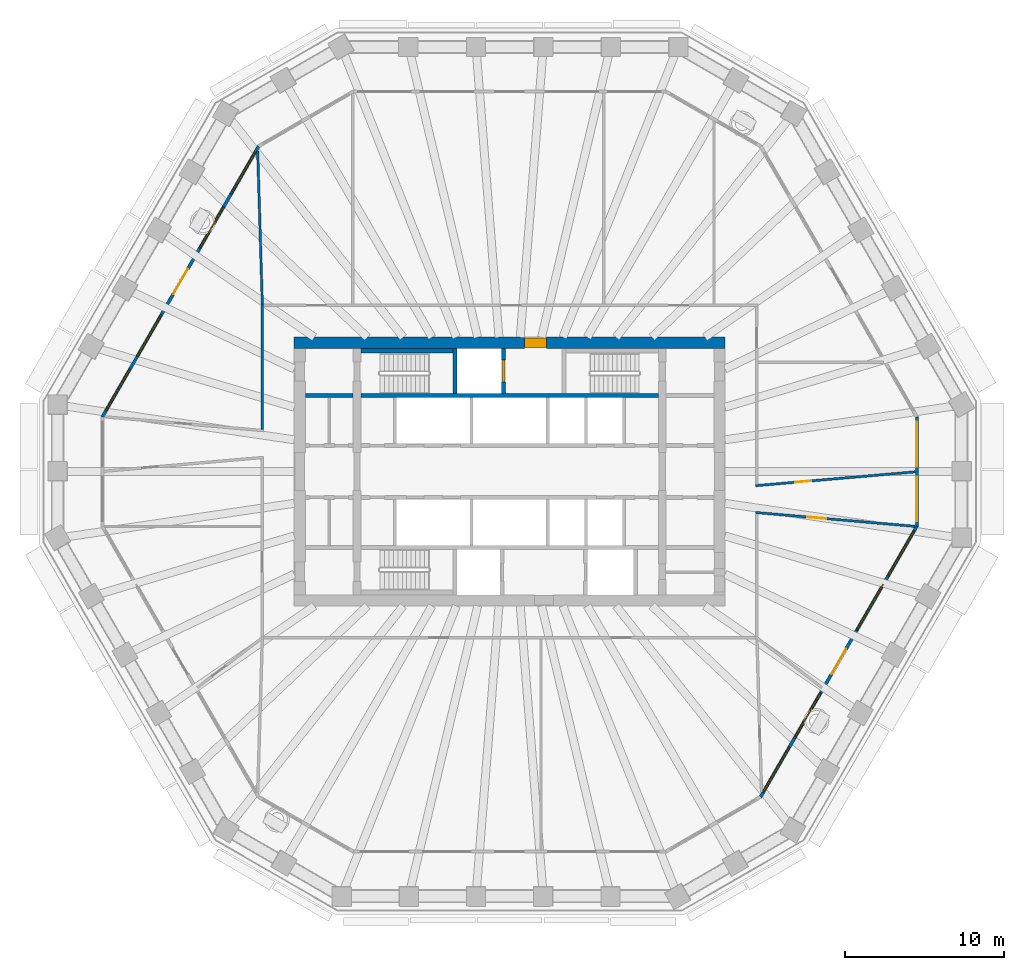
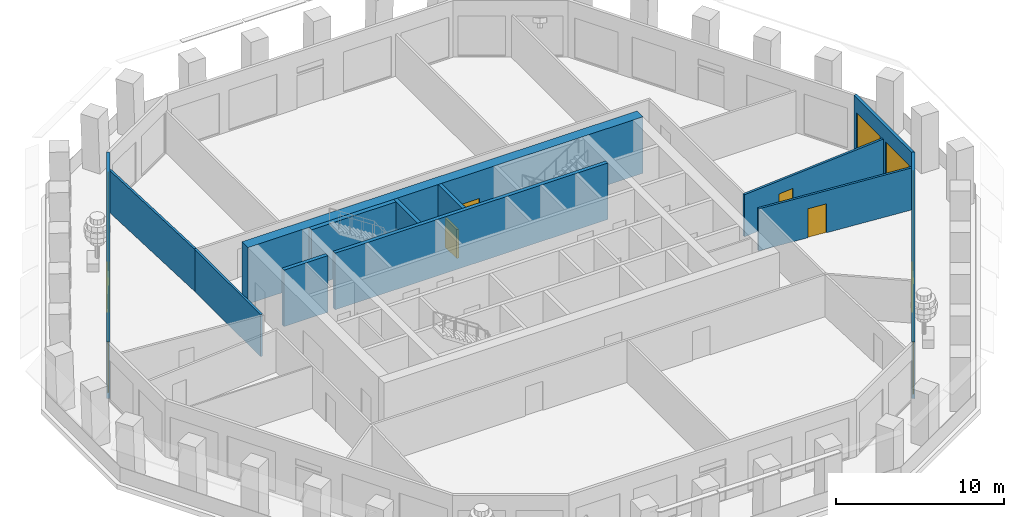
# One storey, part 6 of 12: 13 walls, 12 windows, 6 doors, 18 openings.
"""IFC4 building model written with IfcOpenShell, lengths in metres."""

from ifc_helpers import new_model, si_unit, direction, frame, frame_2d, origin, place, context, subcontext, project, spatial, polyline, rectangle, outline, extrude, material, layer, layer_set, type_object, element, fill, save


model = new_model("IFC4")

# Units and contexts
model_context = context("Model", 3, precision=1e-05, world=origin(), true_north=direction((0.0, 1.0)))
body_context = subcontext(model_context, "Body", "Model", "MODEL_VIEW")
ifc_project = project(units=[si_unit("LENGTHUNIT", "METRE"), si_unit("AREAUNIT", "SQUARE_METRE"), si_unit("VOLUMEUNIT", "CUBIC_METRE"), si_unit("PLANEANGLEUNIT", "RADIAN"), si_unit("MASSUNIT", "GRAM", prefix="KILO")], contexts=[model_context])

# Site, building, storey
site_placement = place(None, origin())
site = spatial("IfcSite", under=ifc_project, at=site_placement, CompositionType="ELEMENT")
building_placement = place(site_placement, origin())
building = spatial("IfcBuilding", under=site, at=building_placement, Name="Frailejon Research Tower", CompositionType="ELEMENT")
storey_placement = place(building_placement, frame((0.0, 0.0, 145.199951171875)))
storey = spatial("IfcBuildingStorey", under=building, at=storey_placement, Name="L31", CompositionType="ELEMENT", Elevation=145.199951171875)

# Wall, opening, door
ifc_material_1 = material(Name="Concrete C60/75", Category="concrete")
ifc_layer_1 = layer(ifc_material_1, 0.699951171875)
ifc_layer_set_1 = layer_set([ifc_layer_1], Name="Core shear wall 700 C60/75")
wall_type_1 = type_object("IfcWallType", Name="Core shear wall 700 C60/75", PredefinedType="SHEAR", material=ifc_layer_set_1)
wall_1_placement = place(storey_placement, frame((-13.550048828125, 8.10009765625, 0.0), z_axis=(0.0, 0.0, 1.0), x_axis=(1.0, 0.0, 0.0)))
wall_1 = element("IfcWall", 1, at=wall_1_placement, inside=storey, type_object=wall_type_1, Name="Core shear wall", PredefinedType="SHEAR", context=body_context, shape_type="SweptSolid", body=[
    extrude(rectangle(XDim=27.10009765625, YDim=0.699951171875, at=frame_2d((13.550048828125, 0.0))), origin(), (0.0, 0.0, 1.0), 4.10009765625),
])
opening_1_placement = place(wall_1_placement, frame((14.47509765625, 0.0, 0.0)))
opening_1 = element("IfcOpeningElement", 2, at=opening_1_placement, cuts=wall_1, Name="Opening D9", PredefinedType="OPENING", context=body_context, shape_type="SweptSolid", body=[
    extrude(rectangle(XDim=1.39990234375, YDim=2.10009765625, at=frame_2d((0.699951171875, 1.050048828125))), frame((0.0, 0.35986328125, 0.0), z_axis=(0.0, -1.0, 0.0), x_axis=(1.0, 0.0, 0.0)), (0.0, 0.0, 1.0), 0.719970703125),
])
ifc_material_2 = material(Name="Steel", Category="steel")
door_type_1 = type_object("IfcDoorType", Name="Goods lobby door", OperationType="DOUBLE_DOOR_SINGLE_SWING", PredefinedType="DOOR", material=ifc_material_2)
door_1_placement = place(opening_1_placement, origin())
door_1 = element("IfcDoor", 3, at=door_1_placement, inside=storey, type_object=door_type_1, Name="Goods lobby door", OperationType="DOUBLE_DOOR_SINGLE_SWING", OverallHeight=2.10009765625, OverallWidth=1.39990234375, PredefinedType="DOOR", context=body_context, shape_type="SweptSolid", body=[
    extrude(rectangle(XDim=1.39990234375, YDim=2.10009765625, at=frame_2d((0.699951171875, 1.050048828125))), frame((0.0, 0.300048828125, 0.0), z_axis=(0.0, -1.0, 0.0), x_axis=(1.0, 0.0, 0.0)), (0.0, 0.0, 1.0), 0.60009765625),
])
fill(opening_1, door_1)

# Wall
ifc_material_3 = material(Name="Gypsum board and masonry partition", Category="masonry")
ifc_layer_2 = layer(ifc_material_3, 0.14990234375)
ifc_layer_set_2 = layer_set([ifc_layer_2], Name="Corridor wall EI 60, gypsum on steel studs 150")
wall_type_2 = type_object("IfcWallType", Name="Corridor wall EI 60, gypsum on steel studs 150", PredefinedType="PARTITIONING", material=ifc_layer_set_2)
wall_2_placement = place(storey_placement, frame((-15.550048828125, 2.656982421875, 0.0), z_axis=(0.0, 0.0, 1.0), x_axis=(0.0, 1.0, 0.0)))
element("IfcWall", 4, at=wall_2_placement, inside=storey, type_object=wall_type_2, Name="T:IW:L31:005", PredefinedType="PARTITIONING", context=body_context, shape_type="SweptSolid", body=[
    extrude(rectangle(XDim=7.867919921875, YDim=0.14990234375, at=frame_2d((3.93408203125, 0.0))), origin(), (0.0, 0.0, 1.0), 3.050048828125),
])

# Wall, opening, door
wall_3_placement = place(storey_placement, frame((15.475341796875, -0.888427734375, 0.0), z_axis=(0.0, 0.0, 1.0), x_axis=(0.996255304015, 0.086460217564, 0.0)))
wall_3 = element("IfcWall", 5, at=wall_3_placement, inside=storey, type_object=wall_type_2, Name="T:IW:L31:009", PredefinedType="PARTITIONING", context=body_context, shape_type="SweptSolid", body=[
    extrude(rectangle(XDim=10.0751953125, YDim=0.14990234375, at=frame_2d((5.03759765625, 0.0))), origin(), (0.0, 0.0, 1.0), 3.050048828125),
])
opening_2_placement = place(wall_3_placement, frame((2.5, 0.0, 0.0)))
opening_2 = element("IfcOpeningElement", 6, at=opening_2_placement, cuts=wall_3, Name="Opening D1695", PredefinedType="OPENING", context=body_context, shape_type="SweptSolid", body=[
    extrude(rectangle(XDim=1.0, YDim=2.10009765625, at=frame_2d((0.5, 1.050048828125))), frame((0.0, 0.0849609375, 0.0), z_axis=(0.0, -1.0, 0.0), x_axis=(1.0, 0.0, 0.0)), (0.0, 0.0, 1.0), 0.169921875),
])
ifc_material_4 = material(Name="Timber door leaf", Category="wood")
door_type_2 = type_object("IfcDoorType", Name="Door single leaf, timber, steel frame 1000", OperationType="NOTDEFINED", PredefinedType="DOOR", material=ifc_material_4)
door_2_placement = place(opening_2_placement, origin())
door_2 = element("IfcDoor", 7, at=door_2_placement, inside=storey, type_object=door_type_2, Name="D1695", OperationType="SINGLE_SWING_LEFT", OverallHeight=2.10009765625, OverallWidth=1.0, PredefinedType="DOOR", context=body_context, shape_type="SweptSolid", body=[
    extrude(rectangle(XDim=1.0, YDim=2.10009765625, at=frame_2d((0.5, 1.050048828125))), frame((0.0, 0.02490234375, 0.0), z_axis=(0.0, -1.0, 0.0), x_axis=(1.0, 0.0, 0.0)), (0.0, 0.0, 1.0), 0.050048828125),
])
fill(opening_2, door_2)

wall_4_placement = place(storey_placement, frame((15.475341796875, -2.57568359375, 0.0), z_axis=(0.0, 0.0, 1.0), x_axis=(0.996255242107, -0.086460930911, 0.0)))
wall_4 = element("IfcWall", 8, at=wall_4_placement, inside=storey, type_object=wall_type_2, Name="T:IW:L31:010", PredefinedType="PARTITIONING", context=body_context, shape_type="SweptSolid", body=[
    extrude(rectangle(XDim=10.05517578125, YDim=0.14990234375, at=frame_2d((5.027587890625, 0.0))), origin(), (0.0, 0.0, 1.0), 3.050048828125),
])
opening_3_placement = place(wall_4_placement, frame((3.253173828125, 0.0, 0.0)))
opening_3 = element("IfcOpeningElement", 9, at=opening_3_placement, cuts=wall_4, Name="Opening D1707", PredefinedType="OPENING", context=body_context, shape_type="SweptSolid", body=[
    extrude(rectangle(XDim=1.199951171875, YDim=2.10009765625, at=frame_2d((0.60009765625, 1.050048828125))), frame((0.0, 0.0849609375, 0.0), z_axis=(0.0, -1.0, 0.0), x_axis=(1.0, 0.0, 0.0)), (0.0, 0.0, 1.0), 0.169921875),
])
ifc_material_5 = material(Name="Timber door leaf", Category="wood")
door_type_3 = type_object("IfcDoorType", Name="Door single leaf, timber, steel frame 1200", OperationType="NOTDEFINED", PredefinedType="DOOR", material=ifc_material_5)
door_3_placement = place(opening_3_placement, origin())
door_3 = element("IfcDoor", 10, at=door_3_placement, inside=storey, type_object=door_type_3, Name="D1707", OperationType="DOUBLE_DOOR_SINGLE_SWING", OverallHeight=2.10009765625, OverallWidth=1.199951171875, PredefinedType="DOOR", context=body_context, shape_type="SweptSolid", body=[
    extrude(rectangle(XDim=1.199951171875, YDim=2.10009765625, at=frame_2d((0.60009765625, 1.050048828125))), frame((0.0, 0.02490234375, 0.0), z_axis=(0.0, -1.0, 0.0), x_axis=(1.0, 0.0, 0.0)), (0.0, 0.0, 1.0), 0.050048828125),
])
fill(opening_3, door_3)

# Walls
ifc_material_6 = material(Name="Gypsum board and masonry partition", Category="masonry")
ifc_layer_3 = layer(ifc_material_6, 0.14990234375)
ifc_layer_set_3 = layer_set([ifc_layer_3], Name="Laboratory partition, blockwork 150")
wall_type_3 = type_object("IfcWallType", Name="Laboratory partition, blockwork 150", PredefinedType="PARTITIONING", material=ifc_layer_set_3)
wall_5_placement = place(storey_placement, frame((-15.844970703125, 20.156005859375, 0.0), z_axis=(0.0, 0.0, 1.0), x_axis=(0.030388076232, -0.999538175771, 0.0)))
element("IfcWall", 11, at=wall_5_placement, inside=storey, type_object=wall_type_3, Name="T:IW:L31:015", PredefinedType="PARTITIONING", context=body_context, shape_type="SweptSolid", body=[
    extrude(rectangle(XDim=9.78564453125, YDim=0.14990234375, at=frame_2d((4.892822265625, 0.0))), origin(), (0.0, 0.0, 1.0), 3.050048828125),
])
ifc_material_7 = material(Name="Concrete C60/75", Category="concrete")
ifc_layer_4 = layer(ifc_material_7, 0.25)
ifc_layer_set_4 = layer_set([ifc_layer_4], Name="Shaft wall 250 C60/75")
wall_type_4 = type_object("IfcWallType", Name="Shaft wall 250 C60/75", PredefinedType="SOLIDWALL", material=ifc_layer_set_4)
wall_6_placement = place(storey_placement, frame((-12.85009765625, 4.77490234375, 0.0), z_axis=(0.0, 0.0, 1.0), x_axis=(1.0, 0.0, 0.0)))
element("IfcWall", 12, at=wall_6_placement, inside=storey, type_object=wall_type_4, Name="Shaft wall", PredefinedType="SOLIDWALL", context=body_context, shape_type="SweptSolid", body=[
    extrude(rectangle(XDim=3.0, YDim=0.25, at=frame_2d((1.5, 0.0))), origin(), (0.0, 0.0, 1.0), 4.10009765625),
])
wall_7_placement = place(storey_placement, frame((-9.35009765625, 4.77490234375, 0.0), z_axis=(0.0, 0.0, 1.0), x_axis=(1.0, 0.0, 0.0)))
element("IfcWall", 13, at=wall_7_placement, inside=storey, type_object=wall_type_4, Name="Shaft wall", PredefinedType="SOLIDWALL", context=body_context, shape_type="SweptSolid", body=[
    extrude(rectangle(XDim=18.7001953125, YDim=0.25, at=frame_2d((9.35009765625, 0.0))), origin(), (0.0, 0.0, 1.0), 4.10009765625),
])
wall_8_placement = place(storey_placement, frame((-3.425048828125, 4.89990234375, 0.0), z_axis=(0.0, 0.0, 1.0), x_axis=(0.0, 1.0, 0.0)))
element("IfcWall", 14, at=wall_8_placement, inside=storey, type_object=wall_type_4, Name="Shaft wall", PredefinedType="SOLIDWALL", context=body_context, shape_type="SweptSolid", body=[
    extrude(rectangle(XDim=2.85009765625, YDim=0.25, at=frame_2d((1.425048828125, 0.0))), origin(), (0.0, 0.0, 1.0), 4.10009765625),
])

# Wall, opening, door
wall_9_placement = place(storey_placement, frame((-0.375, 4.89990234375, 0.0), z_axis=(0.0, 0.0, 1.0), x_axis=(0.0, 1.0, 0.0)))
wall_9 = element("IfcWall", 15, at=wall_9_placement, inside=storey, type_object=wall_type_4, Name="Shaft wall", PredefinedType="SOLIDWALL", context=body_context, shape_type="SweptSolid", body=[
    extrude(rectangle(XDim=2.85009765625, YDim=0.25, at=frame_2d((1.425048828125, 0.0))), origin(), (0.0, 0.0, 1.0), 4.10009765625),
])
opening_4_placement = place(wall_9_placement, frame((0.72509765625, 0.0, 0.0)))
opening_4 = element("IfcOpeningElement", 16, at=opening_4_placement, cuts=wall_9, Name="Opening LD2", PredefinedType="OPENING", context=body_context, shape_type="SweptSolid", body=[
    extrude(rectangle(XDim=1.39990234375, YDim=2.10009765625, at=frame_2d((0.699951171875, 1.050048828125))), frame((0.0, 0.135009765625, 0.0), z_axis=(0.0, -1.0, 0.0), x_axis=(1.0, 0.0, 0.0)), (0.0, 0.0, 1.0), 0.27001953125),
])
ifc_material_8 = material(Name="Stainless steel", Category="steel")
door_type_4 = type_object("IfcDoorType", Name="Goods landing door", OperationType="DOUBLE_DOOR_SLIDING", PredefinedType="DOOR", material=ifc_material_8)
door_4_placement = place(opening_4_placement, origin())
door_4 = element("IfcDoor", 17, at=door_4_placement, inside=storey, type_object=door_type_4, Name="Lift landing door", OperationType="DOUBLE_DOOR_SLIDING", OverallHeight=2.10009765625, OverallWidth=1.39990234375, PredefinedType="DOOR", context=body_context, shape_type="SweptSolid", body=[
    extrude(rectangle(XDim=1.39990234375, YDim=2.10009765625, at=frame_2d((0.699951171875, 1.050048828125))), frame((0.0, 0.074951171875, 0.0), z_axis=(0.0, -1.0, 0.0), x_axis=(1.0, 0.0, 0.0)), (0.0, 0.0, 1.0), 0.14990234375),
])
fill(opening_4, door_4)

# Wall
ifc_material_9 = material(Name="Concrete C60/75", Category="concrete")
ifc_layer_5 = layer(ifc_material_9, 0.300048828125)
ifc_layer_set_5 = layer_set([ifc_layer_5], Name="Shaft wall 300 C60/75")
wall_type_5 = type_object("IfcWallType", Name="Shaft wall 300 C60/75", PredefinedType="SOLIDWALL", material=ifc_layer_set_5)
wall_10_placement = place(storey_placement, frame((-9.35009765625, 7.60009765625, 0.0), z_axis=(0.0, 0.0, 1.0), x_axis=(1.0, 0.0, 0.0)))
element("IfcWall", 18, at=wall_10_placement, inside=storey, type_object=wall_type_5, Name="Shaft wall", PredefinedType="SOLIDWALL", context=body_context, shape_type="SweptSolid", body=[
    extrude(rectangle(XDim=5.800048828125, YDim=0.300048828125, at=frame_2d((2.89990234375, 0.0))), origin(), (0.0, 0.0, 1.0), 4.10009765625),
])

# Wall, openings, windows
ifc_material_10 = material(Name="Concrete C40/50 precast window wall panel", Category="concrete")
ifc_layer_6 = layer(ifc_material_10, 0.199951171875)
ifc_layer_set_6 = layer_set([ifc_layer_6], Name="Window wall 200")
wall_type_6 = type_object("IfcWallType", Name="Window wall 200", PredefinedType="SOLIDWALL", material=ifc_layer_set_6)
wall_11_placement = place(storey_placement, frame((25.61279296875, -3.437255859375, 0.0), z_axis=(0.0, 0.0, 1.0), x_axis=(0.0, 1.0, 0.0)))
wall_11 = element("IfcWall", 19, at=wall_11_placement, inside=storey, type_object=wall_type_6, Name="Exterior wall L31", PredefinedType="SOLIDWALL", context=body_context, shape_type="SweptSolid", body=[
    extrude(outline(polyline([(-0.02685546875, -0.10009765625), (1.1279296875, -0.10009765625), (2.282470703125, -0.10009765625), (3.437255859375, -0.10009765625), (4.592041015625, -0.10009765625), (5.74658203125, -0.10009765625), (6.9013671875, -0.10009765625), (6.84765625, 0.10009765625), (5.7109375, 0.10009765625), (4.573974609375, 0.10009765625), (3.437255859375, 0.10009765625), (2.300537109375, 0.10009765625), (1.16357421875, 0.10009765625), (0.02685546875, 0.10009765625), (-0.02685546875, -0.10009765625)])), origin(), (0.0, 0.0, 1.0), 4.10009765625),
])
opening_5_placement = place(wall_11_placement, frame((0.318603515625, 0.0, 0.10009765625)))
opening_5 = element("IfcOpeningElement", 20, at=opening_5_placement, cuts=wall_11, Name="Opening W3", PredefinedType="OPENING", context=body_context, shape_type="SweptSolid", body=[
    extrude(rectangle(XDim=2.800048828125, YDim=2.89990234375, at=frame_2d((1.39990234375, 1.449951171875))), frame((0.0, 0.10986328125, 0.0), z_axis=(0.0, -1.0, 0.0), x_axis=(1.0, 0.0, 0.0)), (0.0, 0.0, 1.0), 0.219970703125),
])
opening_6_placement = place(wall_11_placement, frame((3.756103515625, 0.0, 0.10009765625)))
opening_6 = element("IfcOpeningElement", 21, at=opening_6_placement, cuts=wall_11, Name="Opening W3", PredefinedType="OPENING", context=body_context, shape_type="SweptSolid", body=[
    extrude(rectangle(XDim=2.800048828125, YDim=2.89990234375, at=frame_2d((1.39990234375, 1.449951171875))), frame((0.0, 0.10986328125, 0.0), z_axis=(0.0, -1.0, 0.0), x_axis=(1.0, 0.0, 0.0)), (0.0, 0.0, 1.0), 0.219970703125),
])
ifc_material_11 = material(Name="Aluminium framed double glazing", Category="aluminium")
window_type_1 = type_object("IfcWindowType", Name="Window 2800x2900", PartitioningType="SINGLE_PANEL", PredefinedType="WINDOW", material=ifc_material_11)
window_1_placement = place(opening_5_placement, origin())
window_1 = element("IfcWindow", 22, at=window_1_placement, inside=storey, type_object=window_type_1, Name="Window L31", OverallHeight=2.89990234375, OverallWidth=2.800048828125, PartitioningType="SINGLE_PANEL", PredefinedType="WINDOW", context=body_context, shape_type="SweptSolid", body=[
    extrude(rectangle(XDim=2.800048828125, YDim=2.89990234375, at=frame_2d((1.39990234375, 1.449951171875))), frame((0.0, 0.030029296875, 0.0), z_axis=(0.0, -1.0, 0.0), x_axis=(1.0, 0.0, 0.0)), (0.0, 0.0, 1.0), 0.06005859375),
])
fill(opening_5, window_1)
window_2_placement = place(opening_6_placement, origin())
window_2 = element("IfcWindow", 23, at=window_2_placement, inside=storey, type_object=window_type_1, Name="Window L31", OverallHeight=2.89990234375, OverallWidth=2.800048828125, PartitioningType="SINGLE_PANEL", PredefinedType="WINDOW", context=body_context, shape_type="SweptSolid", body=[
    extrude(rectangle(XDim=2.800048828125, YDim=2.89990234375, at=frame_2d((1.39990234375, 1.449951171875))), frame((0.0, 0.030029296875, 0.0), z_axis=(0.0, -1.0, 0.0), x_axis=(1.0, 0.0, 0.0)), (0.0, 0.0, 1.0), 0.06005859375),
])
fill(opening_6, window_2)

# Wall, openings, door, windows
wall_12_placement = place(storey_placement, frame((-15.783203125, 20.462646484375, 0.0), z_axis=(0.0, 0.0, 1.0), x_axis=(-0.499999083763, -0.866025932773, 0.0)))
wall_12 = element("IfcWall", 24, at=wall_12_placement, inside=storey, type_object=wall_type_6, Name="Exterior wall L31", PredefinedType="SOLIDWALL", context=body_context, shape_type="SweptSolid", body=[
    extrude(outline(polyline([(-0.02685546875, -0.10009765625), (1.0107421875, -0.10009765625), (2.048095703125, -0.10009765625), (3.085693359375, -0.10009765625), (4.123291015625, -0.10009765625), (5.16064453125, -0.10009765625), (6.1982421875, -0.10009765625), (7.23583984375, -0.10009765625), (8.273193359375, -0.10009765625), (9.310791015625, -0.10009765625), (10.348388671875, -0.10009765625), (11.385986328125, -0.10009765625), (12.42333984375, -0.10009765625), (13.4609375, -0.10009765625), (14.49853515625, -0.10009765625), (15.535888671875, -0.10009765625), (16.573486328125, -0.10009765625), (17.611083984375, -0.10009765625), (18.6484375, -0.10009765625), (19.68603515625, -0.10009765625), (19.63232421875, 0.10009765625), (18.600341796875, 0.10009765625), (17.568603515625, 0.10009765625), (16.53662109375, 0.10009765625), (15.5048828125, 0.10009765625), (14.472900390625, 0.10009765625), (13.441162109375, 0.10009765625), (12.4091796875, 0.10009765625), (11.37744140625, 0.10009765625), (10.345458984375, 0.10009765625), (9.313720703125, 0.10009765625), (8.28173828125, 0.10009765625), (7.25, 0.10009765625), (6.218017578125, 0.10009765625), (5.186279296875, 0.10009765625), (4.154296875, 0.10009765625), (3.12255859375, 0.10009765625), (2.090576171875, 0.10009765625), (1.058837890625, 0.10009765625), (0.02685546875, 0.10009765625), (-0.02685546875, -0.10009765625)])), origin(), (0.0, 0.0, 1.0), 4.10009765625),
])
opening_7_placement = place(wall_12_placement, frame((0.4658203125, 0.0, 0.10009765625)))
opening_7 = element("IfcOpeningElement", 25, at=opening_7_placement, cuts=wall_12, Name="Opening W4", PredefinedType="OPENING", context=body_context, shape_type="SweptSolid", body=[
    extrude(rectangle(XDim=3.0, YDim=2.89990234375, at=frame_2d((1.5, 1.449951171875))), frame((0.0, 0.10986328125, 0.0), z_axis=(0.0, -1.0, 0.0), x_axis=(1.0, 0.0, 0.0)), (0.0, 0.0, 1.0), 0.219970703125),
])
opening_8_placement = place(wall_12_placement, frame((4.397705078125, 0.0, 0.10009765625)))
opening_8 = element("IfcOpeningElement", 26, at=opening_8_placement, cuts=wall_12, Name="Opening W4", PredefinedType="OPENING", context=body_context, shape_type="SweptSolid", body=[
    extrude(rectangle(XDim=3.0, YDim=2.89990234375, at=frame_2d((1.5, 1.449951171875))), frame((0.0, 0.10986328125, 0.0), z_axis=(0.0, -1.0, 0.0), x_axis=(1.0, 0.0, 0.0)), (0.0, 0.0, 1.0), 0.219970703125),
])
opening_9_placement = place(wall_12_placement, frame((8.9296875, 0.0, 0.0)))
opening_9 = element("IfcOpeningElement", 27, at=opening_9_placement, cuts=wall_12, Name="Opening LG31-3", PredefinedType="OPENING", context=body_context, shape_type="SweptSolid", body=[
    extrude(rectangle(XDim=1.800048828125, YDim=2.39990234375, at=frame_2d((0.89990234375, 1.199951171875))), frame((0.0, 0.10986328125, 0.0), z_axis=(0.0, -1.0, 0.0), x_axis=(1.0, 0.0, 0.0)), (0.0, 0.0, 1.0), 0.219970703125),
])
opening_10_placement = place(wall_12_placement, frame((8.9296875, 0.0, 2.550048828125)))
opening_10 = element("IfcOpeningElement", 28, at=opening_10_placement, cuts=wall_12, Name="Opening W1", PredefinedType="OPENING", context=body_context, shape_type="SweptSolid", body=[
    extrude(rectangle(XDim=1.800048828125, YDim=0.449951171875, at=frame_2d((0.89990234375, 0.22509765625))), frame((0.0, 0.10986328125, 0.0), z_axis=(0.0, -1.0, 0.0), x_axis=(1.0, 0.0, 0.0)), (0.0, 0.0, 1.0), 0.219970703125),
])
opening_11_placement = place(wall_12_placement, frame((12.261474609375, 0.0, 0.10009765625)))
opening_11 = element("IfcOpeningElement", 29, at=opening_11_placement, cuts=wall_12, Name="Opening W4", PredefinedType="OPENING", context=body_context, shape_type="SweptSolid", body=[
    extrude(rectangle(XDim=3.0, YDim=2.89990234375, at=frame_2d((1.5, 1.449951171875))), frame((0.0, 0.10986328125, 0.0), z_axis=(0.0, -1.0, 0.0), x_axis=(1.0, 0.0, 0.0)), (0.0, 0.0, 1.0), 0.219970703125),
])
opening_12_placement = place(wall_12_placement, frame((16.193359375, 0.0, 0.10009765625)))
opening_12 = element("IfcOpeningElement", 30, at=opening_12_placement, cuts=wall_12, Name="Opening W4", PredefinedType="OPENING", context=body_context, shape_type="SweptSolid", body=[
    extrude(rectangle(XDim=3.0, YDim=2.89990234375, at=frame_2d((1.5, 1.449951171875))), frame((0.0, 0.10986328125, 0.0), z_axis=(0.0, -1.0, 0.0), x_axis=(1.0, 0.0, 0.0)), (0.0, 0.0, 1.0), 0.219970703125),
])
ifc_material_12 = material(Name="Aluminium framed glazed door leaf", Category="aluminium")
door_type_5 = type_object("IfcDoorType", Name="Loggia door 1800x2400", OperationType="DOUBLE_DOOR_SINGLE_SWING", PredefinedType="DOOR", material=ifc_material_12)
door_5_placement = place(opening_9_placement, origin())
door_5 = element("IfcDoor", 31, at=door_5_placement, inside=storey, type_object=door_type_5, Name="Door LG31-3", OperationType="DOUBLE_DOOR_SINGLE_SWING", OverallHeight=2.39990234375, OverallWidth=1.800048828125, PredefinedType="DOOR", context=body_context, shape_type="SweptSolid", body=[
    extrude(rectangle(XDim=1.800048828125, YDim=2.39990234375, at=frame_2d((0.89990234375, 1.199951171875))), frame((0.0, 0.02490234375, 0.0), z_axis=(0.0, -1.0, 0.0), x_axis=(1.0, 0.0, 0.0)), (0.0, 0.0, 1.0), 0.050048828125),
])
fill(opening_9, door_5)
ifc_material_13 = material(Name="Aluminium framed double glazing", Category="aluminium")
window_type_2 = type_object("IfcWindowType", Name="Window 1800x450", PartitioningType="SINGLE_PANEL", PredefinedType="WINDOW", material=ifc_material_13)
window_3_placement = place(opening_10_placement, origin())
window_3 = element("IfcWindow", 32, at=window_3_placement, inside=storey, type_object=window_type_2, Name="Window L31", OverallHeight=0.449951171875, OverallWidth=1.800048828125, PartitioningType="SINGLE_PANEL", PredefinedType="WINDOW", context=body_context, shape_type="SweptSolid", body=[
    extrude(rectangle(XDim=1.800048828125, YDim=0.449951171875, at=frame_2d((0.89990234375, 0.22509765625))), frame((0.0, 0.030029296875, 0.0), z_axis=(0.0, -1.0, 0.0), x_axis=(1.0, 0.0, 0.0)), (0.0, 0.0, 1.0), 0.06005859375),
])
fill(opening_10, window_3)
ifc_material_14 = material(Name="Aluminium framed double glazing", Category="aluminium")
window_type_3 = type_object("IfcWindowType", Name="Window 3000x2900", PartitioningType="SINGLE_PANEL", PredefinedType="WINDOW", material=ifc_material_14)
window_4_placement = place(opening_7_placement, origin())
window_4 = element("IfcWindow", 33, at=window_4_placement, inside=storey, type_object=window_type_3, Name="Window L31", OverallHeight=2.89990234375, OverallWidth=3.0, PartitioningType="SINGLE_PANEL", PredefinedType="WINDOW", context=body_context, shape_type="SweptSolid", body=[
    extrude(rectangle(XDim=3.0, YDim=2.89990234375, at=frame_2d((1.5, 1.449951171875))), frame((0.0, 0.030029296875, 0.0), z_axis=(0.0, -1.0, 0.0), x_axis=(1.0, 0.0, 0.0)), (0.0, 0.0, 1.0), 0.06005859375),
])
fill(opening_7, window_4)
window_5_placement = place(opening_8_placement, origin())
window_5 = element("IfcWindow", 34, at=window_5_placement, inside=storey, type_object=window_type_3, Name="Window L31", OverallHeight=2.89990234375, OverallWidth=3.0, PartitioningType="SINGLE_PANEL", PredefinedType="WINDOW", context=body_context, shape_type="SweptSolid", body=[
    extrude(rectangle(XDim=3.0, YDim=2.89990234375, at=frame_2d((1.5, 1.449951171875))), frame((0.0, 0.030029296875, 0.0), z_axis=(0.0, -1.0, 0.0), x_axis=(1.0, 0.0, 0.0)), (0.0, 0.0, 1.0), 0.06005859375),
])
fill(opening_8, window_5)
window_6_placement = place(opening_11_placement, origin())
window_6 = element("IfcWindow", 35, at=window_6_placement, inside=storey, type_object=window_type_3, Name="Window L31", OverallHeight=2.89990234375, OverallWidth=3.0, PartitioningType="SINGLE_PANEL", PredefinedType="WINDOW", context=body_context, shape_type="SweptSolid", body=[
    extrude(rectangle(XDim=3.0, YDim=2.89990234375, at=frame_2d((1.5, 1.449951171875))), frame((0.0, 0.030029296875, 0.0), z_axis=(0.0, -1.0, 0.0), x_axis=(1.0, 0.0, 0.0)), (0.0, 0.0, 1.0), 0.06005859375),
])
fill(opening_11, window_6)
window_7_placement = place(opening_12_placement, origin())
window_7 = element("IfcWindow", 36, at=window_7_placement, inside=storey, type_object=window_type_3, Name="Window L31", OverallHeight=2.89990234375, OverallWidth=3.0, PartitioningType="SINGLE_PANEL", PredefinedType="WINDOW", context=body_context, shape_type="SweptSolid", body=[
    extrude(rectangle(XDim=3.0, YDim=2.89990234375, at=frame_2d((1.5, 1.449951171875))), frame((0.0, 0.030029296875, 0.0), z_axis=(0.0, -1.0, 0.0), x_axis=(1.0, 0.0, 0.0)), (0.0, 0.0, 1.0), 0.06005859375),
])
fill(opening_12, window_7)

wall_13_placement = place(storey_placement, frame((15.783203125, -20.462646484375, 0.0), z_axis=(0.0, 0.0, 1.0), x_axis=(0.499999083763, 0.866025932773, 0.0)))
wall_13 = element("IfcWall", 37, at=wall_13_placement, inside=storey, type_object=wall_type_6, Name="Exterior wall L31", PredefinedType="SOLIDWALL", context=body_context, shape_type="SweptSolid", body=[
    extrude(outline(polyline([(-0.02685546875, -0.10009765625), (1.0107421875, -0.10009765625), (2.048095703125, -0.10009765625), (3.085693359375, -0.10009765625), (4.123291015625, -0.10009765625), (5.16064453125, -0.10009765625), (6.1982421875, -0.10009765625), (7.23583984375, -0.10009765625), (8.273193359375, -0.10009765625), (9.310791015625, -0.10009765625), (10.348388671875, -0.10009765625), (11.385986328125, -0.10009765625), (12.42333984375, -0.10009765625), (13.4609375, -0.10009765625), (14.49853515625, -0.10009765625), (15.535888671875, -0.10009765625), (16.573486328125, -0.10009765625), (17.611083984375, -0.10009765625), (18.6484375, -0.10009765625), (19.68603515625, -0.10009765625), (19.63232421875, 0.10009765625), (18.600341796875, 0.10009765625), (17.568603515625, 0.10009765625), (16.53662109375, 0.10009765625), (15.5048828125, 0.10009765625), (14.472900390625, 0.10009765625), (13.441162109375, 0.10009765625), (12.4091796875, 0.10009765625), (11.37744140625, 0.10009765625), (10.345458984375, 0.10009765625), (9.313720703125, 0.10009765625), (8.28173828125, 0.10009765625), (7.25, 0.10009765625), (6.218017578125, 0.10009765625), (5.186279296875, 0.10009765625), (4.154296875, 0.10009765625), (3.12255859375, 0.10009765625), (2.090576171875, 0.10009765625), (1.058837890625, 0.10009765625), (0.02685546875, 0.10009765625), (-0.02685546875, -0.10009765625)])), origin(), (0.0, 0.0, 1.0), 4.10009765625),
])
opening_13_placement = place(wall_13_placement, frame((0.31591796875, 0.0, 0.10009765625)))
opening_13 = element("IfcOpeningElement", 38, at=opening_13_placement, cuts=wall_13, Name="Opening W5", PredefinedType="OPENING", context=body_context, shape_type="SweptSolid", body=[
    extrude(rectangle(XDim=3.300048828125, YDim=2.89990234375, at=frame_2d((1.64990234375, 1.449951171875))), frame((0.0, 0.10986328125, 0.0), z_axis=(0.0, -1.0, 0.0), x_axis=(1.0, 0.0, 0.0)), (0.0, 0.0, 1.0), 0.219970703125),
])
opening_14_placement = place(wall_13_placement, frame((4.247802734375, 0.0, 0.10009765625)))
opening_14 = element("IfcOpeningElement", 39, at=opening_14_placement, cuts=wall_13, Name="Opening W5", PredefinedType="OPENING", context=body_context, shape_type="SweptSolid", body=[
    extrude(rectangle(XDim=3.300048828125, YDim=2.89990234375, at=frame_2d((1.64990234375, 1.449951171875))), frame((0.0, 0.10986328125, 0.0), z_axis=(0.0, -1.0, 0.0), x_axis=(1.0, 0.0, 0.0)), (0.0, 0.0, 1.0), 0.219970703125),
])
opening_15_placement = place(wall_13_placement, frame((8.9296875, 0.0, 0.0)))
opening_15 = element("IfcOpeningElement", 40, at=opening_15_placement, cuts=wall_13, Name="Opening LG31-6", PredefinedType="OPENING", context=body_context, shape_type="SweptSolid", body=[
    extrude(rectangle(XDim=1.800048828125, YDim=2.39990234375, at=frame_2d((0.89990234375, 1.199951171875))), frame((0.0, 0.10986328125, 0.0), z_axis=(0.0, -1.0, 0.0), x_axis=(1.0, 0.0, 0.0)), (0.0, 0.0, 1.0), 0.219970703125),
])
opening_16_placement = place(wall_13_placement, frame((8.9296875, 0.0, 2.550048828125)))
opening_16 = element("IfcOpeningElement", 41, at=opening_16_placement, cuts=wall_13, Name="Opening W1", PredefinedType="OPENING", context=body_context, shape_type="SweptSolid", body=[
    extrude(rectangle(XDim=1.800048828125, YDim=0.449951171875, at=frame_2d((0.89990234375, 0.22509765625))), frame((0.0, 0.10986328125, 0.0), z_axis=(0.0, -1.0, 0.0), x_axis=(1.0, 0.0, 0.0)), (0.0, 0.0, 1.0), 0.219970703125),
])
opening_17_placement = place(wall_13_placement, frame((12.111572265625, 0.0, 0.10009765625)))
opening_17 = element("IfcOpeningElement", 42, at=opening_17_placement, cuts=wall_13, Name="Opening W5", PredefinedType="OPENING", context=body_context, shape_type="SweptSolid", body=[
    extrude(rectangle(XDim=3.300048828125, YDim=2.89990234375, at=frame_2d((1.64990234375, 1.449951171875))), frame((0.0, 0.10986328125, 0.0), z_axis=(0.0, -1.0, 0.0), x_axis=(1.0, 0.0, 0.0)), (0.0, 0.0, 1.0), 0.219970703125),
])
opening_18_placement = place(wall_13_placement, frame((16.043212890625, 0.0, 0.10009765625)))
opening_18 = element("IfcOpeningElement", 43, at=opening_18_placement, cuts=wall_13, Name="Opening W5", PredefinedType="OPENING", context=body_context, shape_type="SweptSolid", body=[
    extrude(rectangle(XDim=3.300048828125, YDim=2.89990234375, at=frame_2d((1.64990234375, 1.449951171875))), frame((0.0, 0.10986328125, 0.0), z_axis=(0.0, -1.0, 0.0), x_axis=(1.0, 0.0, 0.0)), (0.0, 0.0, 1.0), 0.219970703125),
])
door_6_placement = place(opening_15_placement, origin())
door_6 = element("IfcDoor", 44, at=door_6_placement, inside=storey, type_object=door_type_5, Name="Door LG31-6", OperationType="DOUBLE_DOOR_SINGLE_SWING", OverallHeight=2.39990234375, OverallWidth=1.800048828125, PredefinedType="DOOR", context=body_context, shape_type="SweptSolid", body=[
    extrude(rectangle(XDim=1.800048828125, YDim=2.39990234375, at=frame_2d((0.89990234375, 1.199951171875))), frame((0.0, 0.02490234375, 0.0), z_axis=(0.0, -1.0, 0.0), x_axis=(1.0, 0.0, 0.0)), (0.0, 0.0, 1.0), 0.050048828125),
])
fill(opening_15, door_6)
window_8_placement = place(opening_16_placement, origin())
window_8 = element("IfcWindow", 45, at=window_8_placement, inside=storey, type_object=window_type_2, Name="Window L31", OverallHeight=0.449951171875, OverallWidth=1.800048828125, PartitioningType="SINGLE_PANEL", PredefinedType="WINDOW", context=body_context, shape_type="SweptSolid", body=[
    extrude(rectangle(XDim=1.800048828125, YDim=0.449951171875, at=frame_2d((0.89990234375, 0.22509765625))), frame((0.0, 0.030029296875, 0.0), z_axis=(0.0, -1.0, 0.0), x_axis=(1.0, 0.0, 0.0)), (0.0, 0.0, 1.0), 0.06005859375),
])
fill(opening_16, window_8)
ifc_material_15 = material(Name="Aluminium framed double glazing", Category="aluminium")
window_type_4 = type_object("IfcWindowType", Name="Window 3300x2900", PartitioningType="SINGLE_PANEL", PredefinedType="WINDOW", material=ifc_material_15)
window_9_placement = place(opening_13_placement, origin())
window_9 = element("IfcWindow", 46, at=window_9_placement, inside=storey, type_object=window_type_4, Name="Window L31", OverallHeight=2.89990234375, OverallWidth=3.300048828125, PartitioningType="SINGLE_PANEL", PredefinedType="WINDOW", context=body_context, shape_type="SweptSolid", body=[
    extrude(rectangle(XDim=3.300048828125, YDim=2.89990234375, at=frame_2d((1.64990234375, 1.449951171875))), frame((0.0, 0.030029296875, 0.0), z_axis=(0.0, -1.0, 0.0), x_axis=(1.0, 0.0, 0.0)), (0.0, 0.0, 1.0), 0.06005859375),
])
fill(opening_13, window_9)
window_10_placement = place(opening_14_placement, origin())
window_10 = element("IfcWindow", 47, at=window_10_placement, inside=storey, type_object=window_type_4, Name="Window L31", OverallHeight=2.89990234375, OverallWidth=3.300048828125, PartitioningType="SINGLE_PANEL", PredefinedType="WINDOW", context=body_context, shape_type="SweptSolid", body=[
    extrude(rectangle(XDim=3.300048828125, YDim=2.89990234375, at=frame_2d((1.64990234375, 1.449951171875))), frame((0.0, 0.030029296875, 0.0), z_axis=(0.0, -1.0, 0.0), x_axis=(1.0, 0.0, 0.0)), (0.0, 0.0, 1.0), 0.06005859375),
])
fill(opening_14, window_10)
window_11_placement = place(opening_17_placement, origin())
window_11 = element("IfcWindow", 48, at=window_11_placement, inside=storey, type_object=window_type_4, Name="Window L31", OverallHeight=2.89990234375, OverallWidth=3.300048828125, PartitioningType="SINGLE_PANEL", PredefinedType="WINDOW", context=body_context, shape_type="SweptSolid", body=[
    extrude(rectangle(XDim=3.300048828125, YDim=2.89990234375, at=frame_2d((1.64990234375, 1.449951171875))), frame((0.0, 0.030029296875, 0.0), z_axis=(0.0, -1.0, 0.0), x_axis=(1.0, 0.0, 0.0)), (0.0, 0.0, 1.0), 0.06005859375),
])
fill(opening_17, window_11)
window_12_placement = place(opening_18_placement, origin())
window_12 = element("IfcWindow", 49, at=window_12_placement, inside=storey, type_object=window_type_4, Name="Window L31", OverallHeight=2.89990234375, OverallWidth=3.300048828125, PartitioningType="SINGLE_PANEL", PredefinedType="WINDOW", context=body_context, shape_type="SweptSolid", body=[
    extrude(rectangle(XDim=3.300048828125, YDim=2.89990234375, at=frame_2d((1.64990234375, 1.449951171875))), frame((0.0, 0.030029296875, 0.0), z_axis=(0.0, -1.0, 0.0), x_axis=(1.0, 0.0, 0.0)), (0.0, 0.0, 1.0), 0.06005859375),
])
fill(opening_18, window_12)

save(model, "model.ifc")
